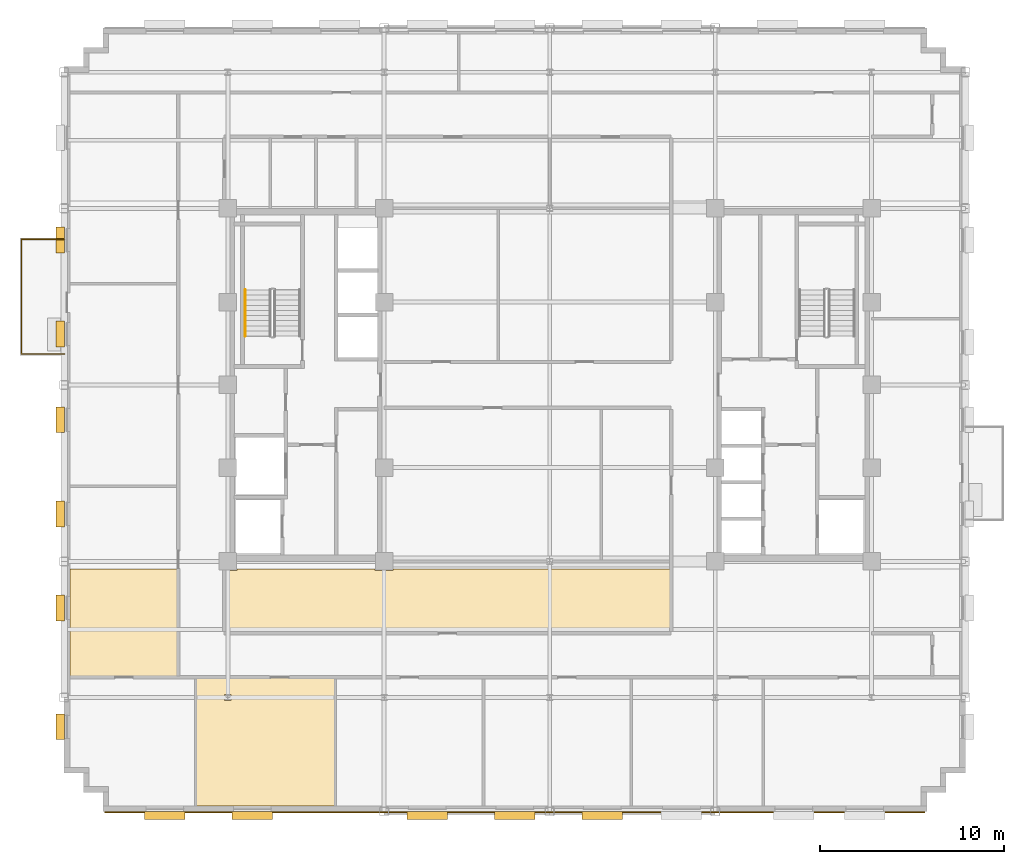
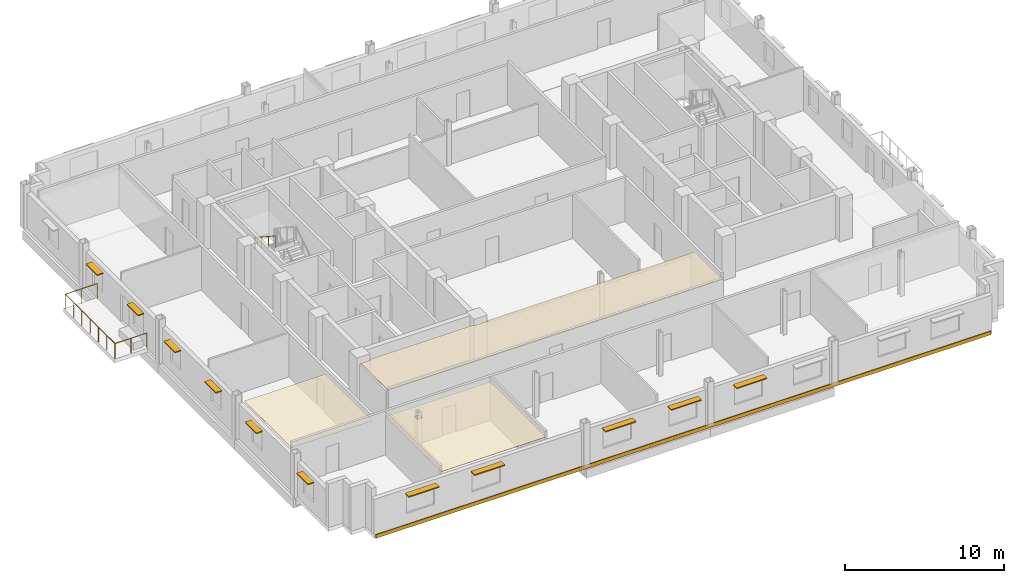
# One storey, part 12 of 15: 11 shading devices, 4 coverings, 2 railings.
"""IFC4 building model written with IfcOpenShell, lengths in metres."""

from ifc_helpers import new_model, si_unit, direction, frame, origin, origin_2d, place, context, subcontext, project, spatial, polyline, rectangle, circle, outline, extrude, source, transform, mapped, material, layer, layer_set, type_object, type_shapes, element, save


model = new_model("IFC4")

# Units and contexts
model_context = context("Model", 3, precision=1e-05, world=origin(), true_north=direction((0.0, 1.0)))
body_context = subcontext(model_context, "Body", "Model", "MODEL_VIEW")
ifc_project = project(units=[si_unit("LENGTHUNIT", "METRE"), si_unit("AREAUNIT", "SQUARE_METRE"), si_unit("VOLUMEUNIT", "CUBIC_METRE"), si_unit("PLANEANGLEUNIT", "RADIAN"), si_unit("MASSUNIT", "GRAM", prefix="KILO")], contexts=[model_context])

# Site, building, storey
site_placement = place(None, origin())
site = spatial("IfcSite", under=ifc_project, at=site_placement, CompositionType="ELEMENT")
building_placement = place(site_placement, origin())
building = spatial("IfcBuilding", under=site, at=building_placement, Name="Nuvemarco Arch Tower", CompositionType="ELEMENT")
storey_placement = place(building_placement, frame((0.0, 0.0, 194.550048828125)))
storey = spatial("IfcBuildingStorey", under=building, at=storey_placement, Name="L51", CompositionType="ELEMENT", Elevation=194.550048828125)

# Coverings
ifc_material_1 = material(Name="Mineral acoustic ceiling tile")
ifc_layer_1 = layer(ifc_material_1, 0.0400390625, Name="COV-ACOUSTIC-CLG")
ifc_layer_set_1 = layer_set([ifc_layer_1], Name="Mineral acoustic ceiling tile")
covering_type_1 = type_object("IfcCoveringType", Name="COV-ACOUSTIC-CLG", PredefinedType="CEILING", material=ifc_layer_set_1)
covering_1_placement = place(storey_placement, frame((0.0, 0.0, 2.849853515625)))
element("IfcCovering", 1, at=covering_1_placement, inside=storey, type_object=covering_type_1, Name="L51 suspended acoustic ceiling 1", PredefinedType="CEILING", context=body_context, shape_type="SweptSolid", body=[
    extrude(outline(polyline([(-9.489990234375, -10.090087890625), (-8.510009765625, -10.090087890625), (-8.510009765625, -10.0), (6.60009765625, -10.0), (6.60009765625, -13.5), (-17.699951171875, -13.5), (-17.699951171875, -10.090087890625), (-17.010009765625, -10.090087890625), (-17.010009765625, -10.0), (-9.489990234375, -10.0), (-9.489990234375, -10.090087890625)])), origin(), (0.0, 0.0, 1.0), 0.0400390625),
])
covering_2_placement = place(storey_placement, frame((0.0, 0.0, 2.849853515625)))
element("IfcCovering", 2, at=covering_2_placement, inside=storey, type_object=covering_type_1, Name="L51 suspended acoustic ceiling 6", PredefinedType="CEILING", context=body_context, shape_type="SweptSolid", body=[
    extrude(outline(polyline([(-20.199951171875, -15.89990234375), (-26.090087890625, -15.89990234375), (-26.090087890625, -10.0), (-20.199951171875, -10.0), (-20.199951171875, -13.5), (-20.199951171875, -15.89990234375)])), origin(), (0.0, 0.0, 1.0), 0.0400390625),
])
covering_3_placement = place(storey_placement, frame((0.0, 0.0, 2.849853515625)))
element("IfcCovering", 3, at=covering_3_placement, inside=storey, type_object=covering_type_1, Name="L51 suspended acoustic ceiling 8", PredefinedType="CEILING", context=body_context, shape_type="SweptSolid", body=[
    extrude(outline(polyline([(-11.64990234375, -22.889892578125), (-19.25, -22.889892578125), (-19.25, -15.89990234375), (-17.699951171875, -15.89990234375), (-11.64990234375, -15.89990234375), (-11.64990234375, -22.889892578125)]), holes=[polyline([(-17.330078125, -16.830078125), (-17.669921875, -16.830078125), (-17.669921875, -17.169921875), (-17.330078125, -17.169921875), (-17.330078125, -16.830078125)])]), origin(), (0.0, 0.0, 1.0), 0.0400390625),
])

# Railings
ifc_material_2 = material(Name="Brushed stainless steel handrail", Category="steel")
railing_type_1 = type_object("IfcRailingType", Name="RL-HANDRAIL-900", PredefinedType="HANDRAIL", material=ifc_material_2)
railing_1_placement = place(storey_placement, frame((-16.550048828125, 5.169921875, 2.007568359375)))
element("IfcRailing", 4, at=railing_1_placement, inside=storey, type_object=railing_type_1, Name="L51 ST-1 stair handrail 2", PredefinedType="HANDRAIL", context=body_context, shape_type="SweptSolid", body=[
    extrude(circle(Radius=0.02392578125, at=origin_2d()), frame((0.0, 0.0, 0.8759765625), z_axis=(0.0, -0.837786554691, 0.545997883492), x_axis=(1.0, 0.0, 0.0)), (0.0, 0.0, 1.0), 3.008056640625),
    extrude(circle(Radius=0.02099609375, at=origin_2d()), origin(), (0.0, 0.0, 1.0), 0.851806640625),
    extrude(circle(Radius=0.02099609375, at=origin_2d()), frame((0.0, -0.840087890625, 0.54736328125)), (0.0, 0.0, 1.0), 0.851806640625),
    extrude(circle(Radius=0.02099609375, at=origin_2d()), frame((0.0, -1.679931640625, 1.094970703125)), (0.0, 0.0, 1.0), 0.851806640625),
    extrude(circle(Radius=0.02099609375, at=origin_2d()), frame((0.0, -2.52001953125, 1.642333984375)), (0.0, 0.0, 1.0), 0.851806640625),
])
ifc_material_3 = material(Name="Dark anodised balustrade steel S355", Category="steel")
railing_type_2 = type_object("IfcRailingType", Name="RL-TERR-GUARD", PredefinedType="BALUSTRADE", material=ifc_material_3)
railing_2_placement = place(storey_placement, frame((-26.39990234375, 1.679931640625, 0.0)))
element("IfcRailing", 5, at=railing_2_placement, inside=storey, type_object=railing_type_2, Name="L51 spiral terrace perimeter balustrade guard", PredefinedType="BALUSTRADE", context=body_context, shape_type="SweptSolid", body=[
    extrude(circle(Radius=0.02392578125, at=origin_2d()), frame((0.0, 0.0, 1.1259765625), z_axis=(-1.0, 0.0, 0.0), x_axis=(0.0, -1.0, 0.0)), (0.0, 0.0, 1.0), 2.320068359375),
    extrude(circle(Radius=0.02392578125, at=origin_2d()), frame((-2.320068359375, 0.0, 1.1259765625), z_axis=(0.0, 1.0, 0.0), x_axis=(-1.0, 0.0, 0.0)), (0.0, 0.0, 1.0), 6.239990234375),
    extrude(circle(Radius=0.02392578125, at=origin_2d()), frame((-2.320068359375, 6.239990234375, 1.1259765625), z_axis=(1.0, 0.0, 0.0), x_axis=(0.0, 1.0, 0.0)), (0.0, 0.0, 1.0), 2.320068359375),
    extrude(circle(Radius=0.02099609375, at=origin_2d()), origin(), (0.0, 0.0, 1.0), 1.101806640625),
    extrude(circle(Radius=0.02099609375, at=origin_2d()), frame((-1.16015625, 0.0, 0.0)), (0.0, 0.0, 1.0), 1.101806640625),
    extrude(circle(Radius=0.02099609375, at=origin_2d()), frame((-2.320068359375, 0.0, 0.0)), (0.0, 0.0, 1.0), 1.101806640625),
    extrude(circle(Radius=0.02099609375, at=origin_2d()), frame((-2.320068359375, 1.0400390625, 0.0)), (0.0, 0.0, 1.0), 1.101806640625),
    extrude(circle(Radius=0.02099609375, at=origin_2d()), frame((-2.320068359375, 2.080078125, 0.0)), (0.0, 0.0, 1.0), 1.101806640625),
    extrude(circle(Radius=0.02099609375, at=origin_2d()), frame((-2.320068359375, 3.1201171875, 0.0)), (0.0, 0.0, 1.0), 1.101806640625),
    extrude(circle(Radius=0.02099609375, at=origin_2d()), frame((-2.320068359375, 4.159912109375, 0.0)), (0.0, 0.0, 1.0), 1.101806640625),
    extrude(circle(Radius=0.02099609375, at=origin_2d()), frame((-2.320068359375, 5.199951171875, 0.0)), (0.0, 0.0, 1.0), 1.101806640625),
    extrude(circle(Radius=0.02099609375, at=origin_2d()), frame((-2.320068359375, 6.239990234375, 0.0)), (0.0, 0.0, 1.0), 1.101806640625),
    extrude(circle(Radius=0.02099609375, at=origin_2d()), frame((-1.16015625, 6.239990234375, 0.0)), (0.0, 0.0, 1.0), 1.101806640625),
    extrude(circle(Radius=0.02099609375, at=origin_2d()), frame((0.0, 6.239990234375, 0.0)), (0.0, 0.0, 1.0), 1.101806640625),
])

# Shading devices
ifc_material_4 = material(Name="Anodised aluminium 6063-T6", Category="aluminium")
shading_device_type_1 = type_object("IfcShadingDeviceType", Name="SHD-BRISE-SOLEIL", PredefinedType="USERDEFINED", material=ifc_material_4)
shared_shape_1 = source(origin(), body_context, "Body", "SweptSolid", [
    extrude(rectangle(XDim=2.199951171875, YDim=0.449951171875, at=origin_2d()), origin(), (0.0, 0.0, 1.0), 0.080078125),
])
type_shapes(shading_device_type_1, [shared_shape_1])
for number, where, z_axis, x_axis, name in (
    (6, (-20.922119140625, -23.4150390625, 2.324951171875), (0.0, 0.0, 1.0), (1.0, 0.0, 0.0), "L51 horizontal brise-soleil sunshade"),
    (7, (-16.166748046875, -23.4150390625, 2.324951171875), (0.0, 0.0, 1.0), (1.0, 0.0, 0.0), "L51 horizontal brise-soleil sunshade"),
    (8, (-6.655517578125, -23.4150390625, 2.324951171875), (0.0, 0.0, 1.0), (1.0, 0.0, 0.0), "L51 horizontal brise-soleil sunshade"),
    (9, (-1.89990234375, -23.4150390625, 2.324951171875), (0.0, 0.0, 1.0), (1.0, 0.0, 0.0), "L51 horizontal brise-soleil sunshade"),
    (10, (2.855712890625, -23.4150390625, 2.324951171875), (0.0, 0.0, 1.0), (1.0, 0.0, 0.0), "L51 horizontal brise-soleil sunshade"),
):
    element("IfcShadingDevice", number, at=place(storey_placement, frame(where, z_axis=z_axis, x_axis=x_axis)), inside=storey, type_object=shading_device_type_1, Name=name, ObjectType="SUNSHADE", PredefinedType="USERDEFINED", context=body_context, shape_type="MappedRepresentation", body=[
        mapped(shared_shape_1, transform((0.0, 0.0, 0.0), scale=1.0)),
    ])
shading_device_type_2 = type_object("IfcShadingDeviceType", Name="SHD-BRISE-NARROW", PredefinedType="USERDEFINED", material=ifc_material_4)
shared_shape_2 = source(origin(), body_context, "Body", "SweptSolid", [
    extrude(rectangle(XDim=1.39990234375, YDim=0.449951171875, at=origin_2d()), origin(), (0.0, 0.0, 1.0), 0.080078125),
])
type_shapes(shading_device_type_2, [shared_shape_2])
for number, where, z_axis, x_axis, name in (
    (11, (-26.614990234375, -18.587646484375, 2.324951171875), (0.0, 0.0, 1.0), (0.0, 1.0, 0.0), "L51 horizontal brise-soleil sunshade"),
    (12, (-26.614990234375, -12.125, 2.324951171875), (0.0, 0.0, 1.0), (0.0, 1.0, 0.0), "L51 horizontal brise-soleil sunshade"),
    (13, (-26.614990234375, -7.0126953125, 2.324951171875), (0.0, 0.0, 1.0), (0.0, 1.0, 0.0), "L51 horizontal brise-soleil sunshade"),
    (14, (-26.614990234375, -1.89990234375, 2.324951171875), (0.0, 0.0, 1.0), (0.0, 1.0, 0.0), "L51 horizontal brise-soleil sunshade"),
    (15, (-26.614990234375, 2.7626953125, 2.324951171875), (0.0, 0.0, 1.0), (0.0, 1.0, 0.0), "L51 horizontal brise-soleil sunshade"),
    (16, (-26.614990234375, 7.875, 2.324951171875), (0.0, 0.0, 1.0), (0.0, 1.0, 0.0), "L51 horizontal brise-soleil sunshade"),
):
    element("IfcShadingDevice", number, at=place(storey_placement, frame(where, z_axis=z_axis, x_axis=x_axis)), inside=storey, type_object=shading_device_type_2, Name=name, ObjectType="SUNSHADE", PredefinedType="USERDEFINED", context=body_context, shape_type="MappedRepresentation", body=[
        mapped(shared_shape_2, transform((0.0, 0.0, 0.0), scale=1.0)),
    ])

# Covering
ifc_material_5 = material(Name="Precast concrete C45/55", Category="concrete")
ifc_layer_2 = layer(ifc_material_5, 0.06005859375, Name="COV-SPANDREL-CLAD")
ifc_layer_set_2 = layer_set([ifc_layer_2], Name="Precast concrete C45/55")
covering_type_2 = type_object("IfcCoveringType", Name="COV-SPANDREL-CLAD", PredefinedType="CLADDING", material=ifc_layer_set_2)
shared_shape_3 = source(origin(), body_context, "Body", "SweptSolid", [
    extrude(rectangle(XDim=44.60009765625, YDim=0.06005859375, at=origin_2d()), origin(), (0.0, 0.0, 1.0), 0.280029296875),
])
type_shapes(covering_type_2, [shared_shape_3])
covering_4_placement = place(storey_placement, frame((-1.89990234375, -23.22900390625, -0.2802734375), z_axis=(0.0, 0.0, 1.0), x_axis=(1.0, 0.0, 0.0)))
element("IfcCovering", 17, at=covering_4_placement, inside=storey, type_object=covering_type_2, Name="L51 precast spandrel edge cladding south", PredefinedType="CLADDING", context=body_context, shape_type="MappedRepresentation", body=[
    mapped(shared_shape_3, transform((0.0, 0.0, 0.0), scale=1.0)),
])

save(model, "model.ifc")
